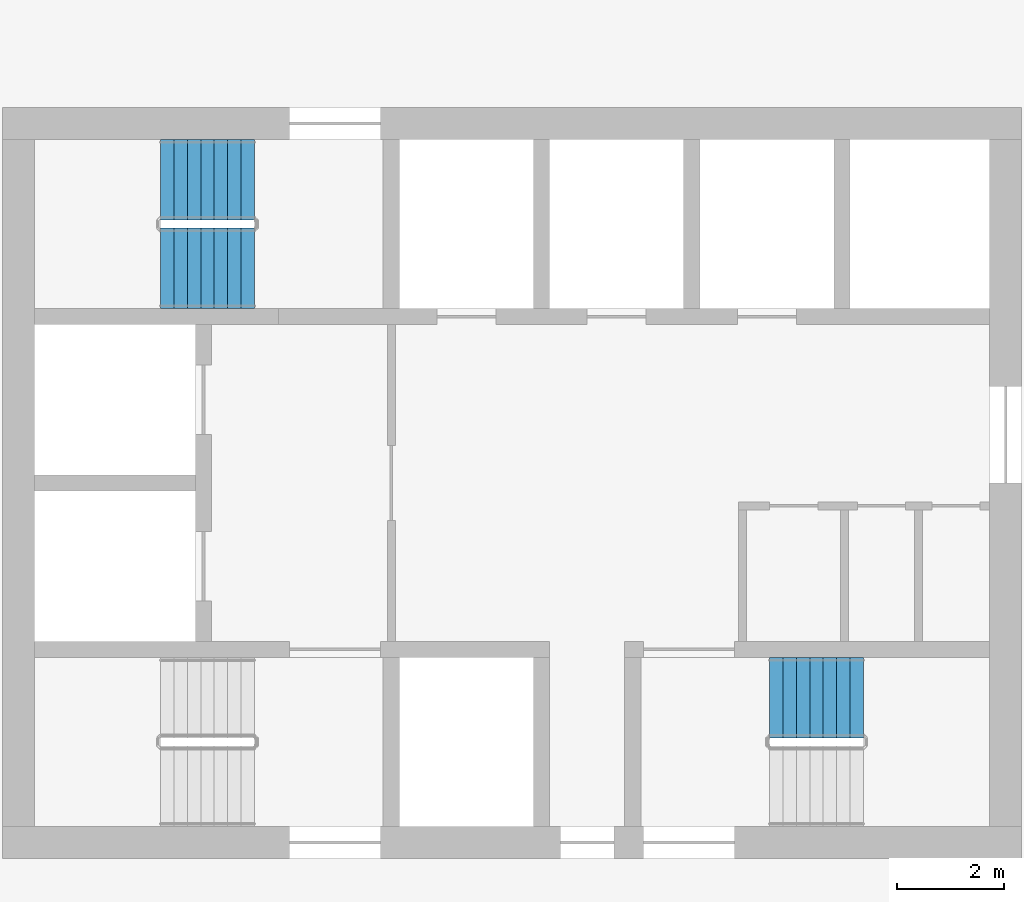
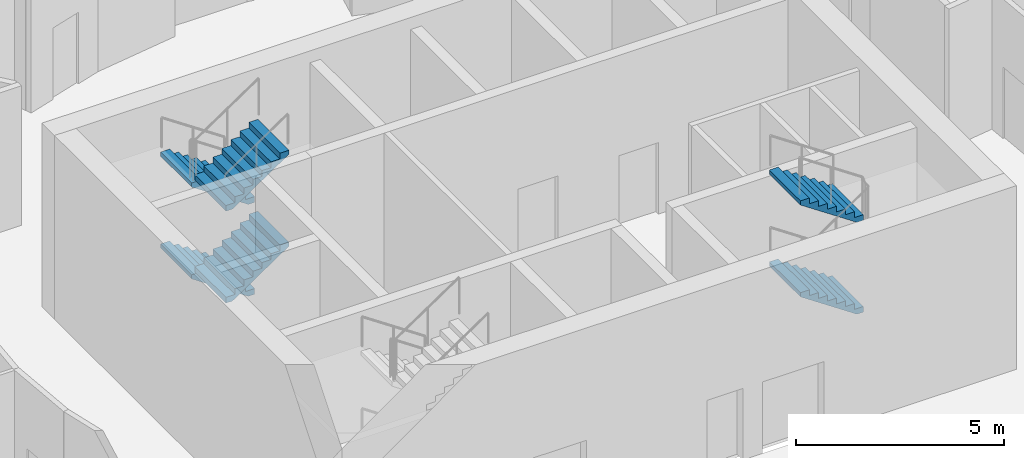
# One storey, part 8 of 10: 6 stair flights, 2 elements without a shape of their own.
"""IFC4 building model written with IfcOpenShell, lengths in metres."""

from ifc_helpers import new_model, si_unit, direction, frame, origin, place, context, subcontext, project, spatial, polyline, outline, extrude, material, type_object, element, aggregate, save


model = new_model("IFC4")

# Units and contexts
model_context = context("Model", 3, precision=1e-05, world=origin(), true_north=direction((0.0, 1.0)))
body_context = subcontext(model_context, "Body", "Model", "MODEL_VIEW")
ifc_project = project(units=[si_unit("LENGTHUNIT", "METRE"), si_unit("AREAUNIT", "SQUARE_METRE"), si_unit("VOLUMEUNIT", "CUBIC_METRE"), si_unit("PLANEANGLEUNIT", "RADIAN"), si_unit("MASSUNIT", "GRAM", prefix="KILO")], contexts=[model_context])

# Site, building, storey
site_placement = place(None, origin())
site = spatial("IfcSite", under=ifc_project, at=site_placement, CompositionType="ELEMENT")
building_placement = place(site_placement, origin())
building = spatial("IfcBuilding", under=site, at=building_placement, Name="Tracery Tower", CompositionType="ELEMENT")
storey_placement = place(building_placement, frame((0.0, 0.0, 336.0)))
storey = spatial("IfcBuildingStorey", under=building, at=storey_placement, Name="L87", CompositionType="ELEMENT", Elevation=336.0)

# Stair, stair flights
ifc_material_1 = material(Name="Concrete C32/40", Category="concrete")
stair_type = type_object("IfcStairType", Name="Core stair 32 risers", PredefinedType="HALF_TURN_STAIR", material=ifc_material_1)
stair_1_placement = place(storey_placement, origin())
stair_1 = element("IfcStair", 1, at=stair_1_placement, inside=storey, type_object=stair_type, Name="L87 stair ST3", PredefinedType="HALF_TURN_STAIR")
ifc_material_2 = material(Name="Concrete C32/40", Category="concrete")
stair_flight_type = type_object("IfcStairFlightType", Name="Core stair flight 8 risers", PredefinedType="STRAIGHT", material=ifc_material_2)
stair_flight_1_placement = place(storey_placement, frame((-4.800048828125, 5.64990234375, 0.0), z_axis=(0.0, 0.0, 1.0), x_axis=(-1.0, 0.0, 0.0)))
stair_flight_1 = element("IfcStairFlight", 2, at=stair_flight_1_placement, type_object=stair_flight_type, Name="ST3 flight 1", NumberOfRisers=8, NumberOfTreads=7, PredefinedType="STRAIGHT", RiserHeight=0.16875, TreadLength=0.25, context=body_context, shape_type="SweptSolid", body=[
    extrude(outline(polyline([(0.0, 0.0), (0.0, 0.002685546875), (0.0, 0.005615234375), (0.0, 0.00830078125), (0.0, 0.010986328125), (0.0, 0.013916015625), (0.0, 0.0166015625), (0.0, 0.019287109375), (0.0, 0.022216796875), (0.0, 0.02490234375), (0.0, 0.027587890625), (0.0, 0.030517578125), (0.0, 0.033203125), (0.0, 0.035888671875), (0.0, 0.038818359375), (0.0, 0.04150390625), (0.0, 0.044189453125), (0.0, 0.047119140625), (0.0, 0.0498046875), (0.0, 0.052490234375), (0.0, 0.055419921875), (0.0, 0.05810546875), (0.0, 0.060791015625), (0.0, 0.063720703125), (0.0, 0.06640625), (0.0, 0.069091796875), (0.0, 0.072021484375), (0.0, 0.07470703125), (0.0, 0.077392578125), (0.0, 0.080322265625), (0.0, 0.0830078125), (0.0, 0.085693359375), (0.0, 0.088623046875), (0.0, 0.09130859375), (0.0, 0.093994140625), (0.0, 0.096923828125), (0.0, 0.099609375), (0.0, 0.102294921875), (0.0, 0.105224609375), (0.0, 0.10791015625), (0.0, 0.110595703125), (0.0, 0.113525390625), (0.0, 0.1162109375), (0.0, 0.118896484375), (0.0, 0.121826171875), (0.0, 0.12451171875), (0.0, 0.127197265625), (0.0, 0.130126953125), (0.0, 0.1328125), (0.0, 0.135498046875), (0.0, 0.138427734375), (0.0, 0.14111328125), (0.0, 0.143798828125), (0.0, 0.146728515625), (0.0, 0.1494140625), (0.0, 0.152099609375), (0.0, 0.155029296875), (0.0, 0.15771484375), (0.0, 0.160400390625), (0.0, 0.163330078125), (0.0, 0.166015625), (0.0, 0.168701171875), (0.25, 0.168701171875), (0.25, 0.33740234375), (0.5, 0.33740234375), (0.5, 0.50634765625), (0.75, 0.50634765625), (0.75, 0.675048828125), (1.0, 0.675048828125), (1.0, 0.84375), (1.25, 0.84375), (1.25, 1.012451171875), (1.5, 1.012451171875), (1.5, 1.18115234375), (1.75, 1.18115234375), (1.75, 1.17919921875), (1.75, 1.17724609375), (1.75, 1.17529296875), (1.75, 1.17333984375), (1.75, 1.17138671875), (1.75, 1.16943359375), (1.75, 1.16748046875), (1.75, 1.16552734375), (1.75, 1.163330078125), (1.75, 1.161376953125), (1.75, 1.159423828125), (1.75, 1.157470703125), (1.75, 1.155517578125), (1.75, 1.153564453125), (1.75, 1.151611328125), (1.75, 1.149658203125), (1.75, 1.147705078125), (1.75, 1.1455078125), (1.75, 1.1435546875), (1.75, 1.1416015625), (1.75, 1.1396484375), (1.75, 1.1376953125), (1.75, 1.1357421875), (1.75, 1.1337890625), (1.75, 1.1318359375), (1.75, 1.1298828125), (1.75, 1.127685546875), (1.75, 1.125732421875), (1.75, 1.123779296875), (1.75, 1.121826171875), (1.75, 1.119873046875), (1.75, 1.117919921875), (1.75, 1.115966796875), (1.75, 1.114013671875), (1.75, 1.112060546875), (1.75, 1.10986328125), (1.75, 1.10791015625), (1.75, 1.10595703125), (1.75, 1.10400390625), (1.75, 1.10205078125), (1.75, 1.10009765625), (1.75, 1.09814453125), (1.75, 1.09619140625), (1.75, 1.09423828125), (1.75, 1.092041015625), (1.75, 1.090087890625), (1.75, 1.088134765625), (1.75, 1.086181640625), (1.75, 1.084228515625), (1.75, 1.082275390625), (1.75, 1.080322265625), (1.75, 1.078369140625), (1.75, 1.076416015625), (1.75, 1.074462890625), (1.75, 1.072265625), (1.75, 1.0703125), (1.75, 1.068359375), (1.75, 1.06640625), (1.75, 1.064453125), (1.75, 1.0625), (1.75, 1.060546875), (0.178955078125, 0.0), (0.0, 0.0)])), frame((0.0, 0.75, 0.0), z_axis=(0.0, -1.0, 0.0), x_axis=(1.0, 0.0, 0.0)), (0.0, 0.0, 1.0), 1.5),
])
stair_flight_2_placement = place(storey_placement, frame((-6.550048828125, 4.0, 1.35009765625), z_axis=(0.0, 0.0, 1.0), x_axis=(1.0, 0.0, 0.0)))
stair_flight_2 = element("IfcStairFlight", 3, at=stair_flight_2_placement, type_object=stair_flight_type, Name="ST3 flight 2", NumberOfRisers=8, NumberOfTreads=7, PredefinedType="STRAIGHT", RiserHeight=0.16875, TreadLength=0.25, context=body_context, shape_type="SweptSolid", body=[
    extrude(outline(polyline([(0.0, 0.0), (0.0, 0.002685546875), (0.0, 0.005615234375), (0.0, 0.00830078125), (0.0, 0.010986328125), (0.0, 0.013916015625), (0.0, 0.0166015625), (0.0, 0.019287109375), (0.0, 0.022216796875), (0.0, 0.02490234375), (0.0, 0.027587890625), (0.0, 0.030517578125), (0.0, 0.033203125), (0.0, 0.035888671875), (0.0, 0.038818359375), (0.0, 0.04150390625), (0.0, 0.044189453125), (0.0, 0.047119140625), (0.0, 0.0498046875), (0.0, 0.052490234375), (0.0, 0.055419921875), (0.0, 0.05810546875), (0.0, 0.060791015625), (0.0, 0.063720703125), (0.0, 0.06640625), (0.0, 0.069091796875), (0.0, 0.072021484375), (0.0, 0.07470703125), (0.0, 0.077392578125), (0.0, 0.080322265625), (0.0, 0.0830078125), (0.0, 0.085693359375), (0.0, 0.088623046875), (0.0, 0.09130859375), (0.0, 0.093994140625), (0.0, 0.096923828125), (0.0, 0.099609375), (0.0, 0.102294921875), (0.0, 0.105224609375), (0.0, 0.10791015625), (0.0, 0.110595703125), (0.0, 0.113525390625), (0.0, 0.1162109375), (0.0, 0.118896484375), (0.0, 0.121826171875), (0.0, 0.12451171875), (0.0, 0.127197265625), (0.0, 0.130126953125), (0.0, 0.1328125), (0.0, 0.135498046875), (0.0, 0.138427734375), (0.0, 0.14111328125), (0.0, 0.143798828125), (0.0, 0.146728515625), (0.0, 0.1494140625), (0.0, 0.152099609375), (0.0, 0.155029296875), (0.0, 0.15771484375), (0.0, 0.160400390625), (0.0, 0.163330078125), (0.0, 0.166015625), (0.0, 0.168701171875), (0.25, 0.168701171875), (0.25, 0.33740234375), (0.5, 0.33740234375), (0.5, 0.50634765625), (0.75, 0.50634765625), (0.75, 0.675048828125), (1.0, 0.675048828125), (1.0, 0.84375), (1.25, 0.84375), (1.25, 1.012451171875), (1.5, 1.012451171875), (1.5, 1.18115234375), (1.75, 1.18115234375), (1.75, 1.17919921875), (1.75, 1.17724609375), (1.75, 1.17529296875), (1.75, 1.17333984375), (1.75, 1.17138671875), (1.75, 1.16943359375), (1.75, 1.16748046875), (1.75, 1.16552734375), (1.75, 1.163330078125), (1.75, 1.161376953125), (1.75, 1.159423828125), (1.75, 1.157470703125), (1.75, 1.155517578125), (1.75, 1.153564453125), (1.75, 1.151611328125), (1.75, 1.149658203125), (1.75, 1.147705078125), (1.75, 1.1455078125), (1.75, 1.1435546875), (1.75, 1.1416015625), (1.75, 1.1396484375), (1.75, 1.1376953125), (1.75, 1.1357421875), (1.75, 1.1337890625), (1.75, 1.1318359375), (1.75, 1.1298828125), (1.75, 1.127685546875), (1.75, 1.125732421875), (1.75, 1.123779296875), (1.75, 1.121826171875), (1.75, 1.119873046875), (1.75, 1.117919921875), (1.75, 1.115966796875), (1.75, 1.114013671875), (1.75, 1.112060546875), (1.75, 1.10986328125), (1.75, 1.10791015625), (1.75, 1.10595703125), (1.75, 1.10400390625), (1.75, 1.10205078125), (1.75, 1.10009765625), (1.75, 1.09814453125), (1.75, 1.09619140625), (1.75, 1.09423828125), (1.75, 1.092041015625), (1.75, 1.090087890625), (1.75, 1.088134765625), (1.75, 1.086181640625), (1.75, 1.084228515625), (1.75, 1.082275390625), (1.75, 1.080322265625), (1.75, 1.078369140625), (1.75, 1.076416015625), (1.75, 1.074462890625), (1.75, 1.072265625), (1.75, 1.0703125), (1.75, 1.068359375), (1.75, 1.06640625), (1.75, 1.064453125), (1.75, 1.0625), (1.75, 1.060546875), (0.178955078125, 0.0), (0.0, 0.0)])), frame((0.0, 0.75, 0.0), z_axis=(0.0, -1.0, 0.0), x_axis=(1.0, 0.0, 0.0)), (0.0, 0.0, 1.0), 1.5),
])
stair_flight_3_placement = place(storey_placement, frame((-4.800048828125, 5.64990234375, 2.699951171875), z_axis=(0.0, 0.0, 1.0), x_axis=(-1.0, 0.0, 0.0)))
stair_flight_3 = element("IfcStairFlight", 4, at=stair_flight_3_placement, type_object=stair_flight_type, Name="ST3 flight 3", NumberOfRisers=8, NumberOfTreads=7, PredefinedType="STRAIGHT", RiserHeight=0.16875, TreadLength=0.25, context=body_context, shape_type="SweptSolid", body=[
    extrude(outline(polyline([(0.0, 0.0), (0.0, 0.002685546875), (0.0, 0.005615234375), (0.0, 0.00830078125), (0.0, 0.010986328125), (0.0, 0.013916015625), (0.0, 0.0166015625), (0.0, 0.019287109375), (0.0, 0.022216796875), (0.0, 0.02490234375), (0.0, 0.027587890625), (0.0, 0.030517578125), (0.0, 0.033203125), (0.0, 0.035888671875), (0.0, 0.038818359375), (0.0, 0.04150390625), (0.0, 0.044189453125), (0.0, 0.047119140625), (0.0, 0.0498046875), (0.0, 0.052490234375), (0.0, 0.055419921875), (0.0, 0.05810546875), (0.0, 0.060791015625), (0.0, 0.063720703125), (0.0, 0.06640625), (0.0, 0.069091796875), (0.0, 0.072021484375), (0.0, 0.07470703125), (0.0, 0.077392578125), (0.0, 0.080322265625), (0.0, 0.0830078125), (0.0, 0.085693359375), (0.0, 0.088623046875), (0.0, 0.09130859375), (0.0, 0.093994140625), (0.0, 0.096923828125), (0.0, 0.099609375), (0.0, 0.102294921875), (0.0, 0.105224609375), (0.0, 0.10791015625), (0.0, 0.110595703125), (0.0, 0.113525390625), (0.0, 0.1162109375), (0.0, 0.118896484375), (0.0, 0.121826171875), (0.0, 0.12451171875), (0.0, 0.127197265625), (0.0, 0.130126953125), (0.0, 0.1328125), (0.0, 0.135498046875), (0.0, 0.138427734375), (0.0, 0.14111328125), (0.0, 0.143798828125), (0.0, 0.146728515625), (0.0, 0.1494140625), (0.0, 0.152099609375), (0.0, 0.155029296875), (0.0, 0.15771484375), (0.0, 0.160400390625), (0.0, 0.163330078125), (0.0, 0.166015625), (0.0, 0.168701171875), (0.25, 0.168701171875), (0.25, 0.33740234375), (0.5, 0.33740234375), (0.5, 0.50634765625), (0.75, 0.50634765625), (0.75, 0.675048828125), (1.0, 0.675048828125), (1.0, 0.84375), (1.25, 0.84375), (1.25, 1.012451171875), (1.5, 1.012451171875), (1.5, 1.18115234375), (1.75, 1.18115234375), (1.75, 1.17919921875), (1.75, 1.17724609375), (1.75, 1.17529296875), (1.75, 1.17333984375), (1.75, 1.17138671875), (1.75, 1.16943359375), (1.75, 1.16748046875), (1.75, 1.16552734375), (1.75, 1.163330078125), (1.75, 1.161376953125), (1.75, 1.159423828125), (1.75, 1.157470703125), (1.75, 1.155517578125), (1.75, 1.153564453125), (1.75, 1.151611328125), (1.75, 1.149658203125), (1.75, 1.147705078125), (1.75, 1.1455078125), (1.75, 1.1435546875), (1.75, 1.1416015625), (1.75, 1.1396484375), (1.75, 1.1376953125), (1.75, 1.1357421875), (1.75, 1.1337890625), (1.75, 1.1318359375), (1.75, 1.1298828125), (1.75, 1.127685546875), (1.75, 1.125732421875), (1.75, 1.123779296875), (1.75, 1.121826171875), (1.75, 1.119873046875), (1.75, 1.117919921875), (1.75, 1.115966796875), (1.75, 1.114013671875), (1.75, 1.112060546875), (1.75, 1.10986328125), (1.75, 1.10791015625), (1.75, 1.10595703125), (1.75, 1.10400390625), (1.75, 1.10205078125), (1.75, 1.10009765625), (1.75, 1.09814453125), (1.75, 1.09619140625), (1.75, 1.09423828125), (1.75, 1.092041015625), (1.75, 1.090087890625), (1.75, 1.088134765625), (1.75, 1.086181640625), (1.75, 1.084228515625), (1.75, 1.082275390625), (1.75, 1.080322265625), (1.75, 1.078369140625), (1.75, 1.076416015625), (1.75, 1.074462890625), (1.75, 1.072265625), (1.75, 1.0703125), (1.75, 1.068359375), (1.75, 1.06640625), (1.75, 1.064453125), (1.75, 1.0625), (1.75, 1.060546875), (0.178955078125, 0.0), (0.0, 0.0)])), frame((0.0, 0.75, 0.0), z_axis=(0.0, -1.0, 0.0), x_axis=(1.0, 0.0, 0.0)), (0.0, 0.0, 1.0), 1.5),
])
stair_flight_4_placement = place(storey_placement, frame((-6.550048828125, 4.0, 4.050048828125), z_axis=(0.0, 0.0, 1.0), x_axis=(1.0, 0.0, 0.0)))
stair_flight_4 = element("IfcStairFlight", 5, at=stair_flight_4_placement, type_object=stair_flight_type, Name="ST3 flight 4", NumberOfRisers=8, NumberOfTreads=7, PredefinedType="STRAIGHT", RiserHeight=0.16875, TreadLength=0.25, context=body_context, shape_type="SweptSolid", body=[
    extrude(outline(polyline([(0.0, 0.0), (0.0, 0.002685546875), (0.0, 0.005615234375), (0.0, 0.00830078125), (0.0, 0.010986328125), (0.0, 0.013916015625), (0.0, 0.0166015625), (0.0, 0.019287109375), (0.0, 0.022216796875), (0.0, 0.02490234375), (0.0, 0.027587890625), (0.0, 0.030517578125), (0.0, 0.033203125), (0.0, 0.035888671875), (0.0, 0.038818359375), (0.0, 0.04150390625), (0.0, 0.044189453125), (0.0, 0.047119140625), (0.0, 0.0498046875), (0.0, 0.052490234375), (0.0, 0.055419921875), (0.0, 0.05810546875), (0.0, 0.060791015625), (0.0, 0.063720703125), (0.0, 0.06640625), (0.0, 0.069091796875), (0.0, 0.072021484375), (0.0, 0.07470703125), (0.0, 0.077392578125), (0.0, 0.080322265625), (0.0, 0.0830078125), (0.0, 0.085693359375), (0.0, 0.088623046875), (0.0, 0.09130859375), (0.0, 0.093994140625), (0.0, 0.096923828125), (0.0, 0.099609375), (0.0, 0.102294921875), (0.0, 0.105224609375), (0.0, 0.10791015625), (0.0, 0.110595703125), (0.0, 0.113525390625), (0.0, 0.1162109375), (0.0, 0.118896484375), (0.0, 0.121826171875), (0.0, 0.12451171875), (0.0, 0.127197265625), (0.0, 0.130126953125), (0.0, 0.1328125), (0.0, 0.135498046875), (0.0, 0.138427734375), (0.0, 0.14111328125), (0.0, 0.143798828125), (0.0, 0.146728515625), (0.0, 0.1494140625), (0.0, 0.152099609375), (0.0, 0.155029296875), (0.0, 0.15771484375), (0.0, 0.160400390625), (0.0, 0.163330078125), (0.0, 0.166015625), (0.0, 0.168701171875), (0.25, 0.168701171875), (0.25, 0.33740234375), (0.5, 0.33740234375), (0.5, 0.50634765625), (0.75, 0.50634765625), (0.75, 0.675048828125), (1.0, 0.675048828125), (1.0, 0.84375), (1.25, 0.84375), (1.25, 1.012451171875), (1.5, 1.012451171875), (1.5, 1.18115234375), (1.75, 1.18115234375), (1.75, 1.17919921875), (1.75, 1.17724609375), (1.75, 1.17529296875), (1.75, 1.17333984375), (1.75, 1.17138671875), (1.75, 1.16943359375), (1.75, 1.16748046875), (1.75, 1.16552734375), (1.75, 1.163330078125), (1.75, 1.161376953125), (1.75, 1.159423828125), (1.75, 1.157470703125), (1.75, 1.155517578125), (1.75, 1.153564453125), (1.75, 1.151611328125), (1.75, 1.149658203125), (1.75, 1.147705078125), (1.75, 1.1455078125), (1.75, 1.1435546875), (1.75, 1.1416015625), (1.75, 1.1396484375), (1.75, 1.1376953125), (1.75, 1.1357421875), (1.75, 1.1337890625), (1.75, 1.1318359375), (1.75, 1.1298828125), (1.75, 1.127685546875), (1.75, 1.125732421875), (1.75, 1.123779296875), (1.75, 1.121826171875), (1.75, 1.119873046875), (1.75, 1.117919921875), (1.75, 1.115966796875), (1.75, 1.114013671875), (1.75, 1.112060546875), (1.75, 1.10986328125), (1.75, 1.10791015625), (1.75, 1.10595703125), (1.75, 1.10400390625), (1.75, 1.10205078125), (1.75, 1.10009765625), (1.75, 1.09814453125), (1.75, 1.09619140625), (1.75, 1.09423828125), (1.75, 1.092041015625), (1.75, 1.090087890625), (1.75, 1.088134765625), (1.75, 1.086181640625), (1.75, 1.084228515625), (1.75, 1.082275390625), (1.75, 1.080322265625), (1.75, 1.078369140625), (1.75, 1.076416015625), (1.75, 1.074462890625), (1.75, 1.072265625), (1.75, 1.0703125), (1.75, 1.068359375), (1.75, 1.06640625), (1.75, 1.064453125), (1.75, 1.0625), (1.75, 1.060546875), (0.178955078125, 0.0), (0.0, 0.0)])), frame((0.0, 0.75, 0.0), z_axis=(0.0, -1.0, 0.0), x_axis=(1.0, 0.0, 0.0)), (0.0, 0.0, 1.0), 1.5),
])
aggregate(stair_1, [stair_flight_1, stair_flight_2, stair_flight_3, stair_flight_4])

stair_2_placement = place(storey_placement, origin())
stair_2 = element("IfcStair", 6, at=stair_2_placement, inside=storey, type_object=stair_type, Name="L87 stair ST2", PredefinedType="HALF_TURN_STAIR")
stair_flight_5_placement = place(storey_placement, frame((6.550048828125, -4.0, 1.35009765625), z_axis=(0.0, 0.0, 1.0), x_axis=(-1.0, 0.0, 0.0)))
stair_flight_5 = element("IfcStairFlight", 7, at=stair_flight_5_placement, type_object=stair_flight_type, Name="ST2 flight 2", NumberOfRisers=8, NumberOfTreads=7, PredefinedType="STRAIGHT", RiserHeight=0.16875, TreadLength=0.25, context=body_context, shape_type="SweptSolid", body=[
    extrude(outline(polyline([(0.0, 0.0), (0.0, 0.002685546875), (0.0, 0.005615234375), (0.0, 0.00830078125), (0.0, 0.010986328125), (0.0, 0.013916015625), (0.0, 0.0166015625), (0.0, 0.019287109375), (0.0, 0.022216796875), (0.0, 0.02490234375), (0.0, 0.027587890625), (0.0, 0.030517578125), (0.0, 0.033203125), (0.0, 0.035888671875), (0.0, 0.038818359375), (0.0, 0.04150390625), (0.0, 0.044189453125), (0.0, 0.047119140625), (0.0, 0.0498046875), (0.0, 0.052490234375), (0.0, 0.055419921875), (0.0, 0.05810546875), (0.0, 0.060791015625), (0.0, 0.063720703125), (0.0, 0.06640625), (0.0, 0.069091796875), (0.0, 0.072021484375), (0.0, 0.07470703125), (0.0, 0.077392578125), (0.0, 0.080322265625), (0.0, 0.0830078125), (0.0, 0.085693359375), (0.0, 0.088623046875), (0.0, 0.09130859375), (0.0, 0.093994140625), (0.0, 0.096923828125), (0.0, 0.099609375), (0.0, 0.102294921875), (0.0, 0.105224609375), (0.0, 0.10791015625), (0.0, 0.110595703125), (0.0, 0.113525390625), (0.0, 0.1162109375), (0.0, 0.118896484375), (0.0, 0.121826171875), (0.0, 0.12451171875), (0.0, 0.127197265625), (0.0, 0.130126953125), (0.0, 0.1328125), (0.0, 0.135498046875), (0.0, 0.138427734375), (0.0, 0.14111328125), (0.0, 0.143798828125), (0.0, 0.146728515625), (0.0, 0.1494140625), (0.0, 0.152099609375), (0.0, 0.155029296875), (0.0, 0.15771484375), (0.0, 0.160400390625), (0.0, 0.163330078125), (0.0, 0.166015625), (0.0, 0.168701171875), (0.25, 0.168701171875), (0.25, 0.33740234375), (0.5, 0.33740234375), (0.5, 0.50634765625), (0.75, 0.50634765625), (0.75, 0.675048828125), (1.0, 0.675048828125), (1.0, 0.84375), (1.25, 0.84375), (1.25, 1.012451171875), (1.5, 1.012451171875), (1.5, 1.18115234375), (1.75, 1.18115234375), (1.75, 1.17919921875), (1.75, 1.17724609375), (1.75, 1.17529296875), (1.75, 1.17333984375), (1.75, 1.17138671875), (1.75, 1.16943359375), (1.75, 1.16748046875), (1.75, 1.16552734375), (1.75, 1.163330078125), (1.75, 1.161376953125), (1.75, 1.159423828125), (1.75, 1.157470703125), (1.75, 1.155517578125), (1.75, 1.153564453125), (1.75, 1.151611328125), (1.75, 1.149658203125), (1.75, 1.147705078125), (1.75, 1.1455078125), (1.75, 1.1435546875), (1.75, 1.1416015625), (1.75, 1.1396484375), (1.75, 1.1376953125), (1.75, 1.1357421875), (1.75, 1.1337890625), (1.75, 1.1318359375), (1.75, 1.1298828125), (1.75, 1.127685546875), (1.75, 1.125732421875), (1.75, 1.123779296875), (1.75, 1.121826171875), (1.75, 1.119873046875), (1.75, 1.117919921875), (1.75, 1.115966796875), (1.75, 1.114013671875), (1.75, 1.112060546875), (1.75, 1.10986328125), (1.75, 1.10791015625), (1.75, 1.10595703125), (1.75, 1.10400390625), (1.75, 1.10205078125), (1.75, 1.10009765625), (1.75, 1.09814453125), (1.75, 1.09619140625), (1.75, 1.09423828125), (1.75, 1.092041015625), (1.75, 1.090087890625), (1.75, 1.088134765625), (1.75, 1.086181640625), (1.75, 1.084228515625), (1.75, 1.082275390625), (1.75, 1.080322265625), (1.75, 1.078369140625), (1.75, 1.076416015625), (1.75, 1.074462890625), (1.75, 1.072265625), (1.75, 1.0703125), (1.75, 1.068359375), (1.75, 1.06640625), (1.75, 1.064453125), (1.75, 1.0625), (1.75, 1.060546875), (0.178955078125, 0.0), (0.0, 0.0)])), frame((0.0, 0.75, 0.0), z_axis=(0.0, -1.0, 0.0), x_axis=(1.0, 0.0, 0.0)), (0.0, 0.0, 1.0), 1.5),
])
stair_flight_6_placement = place(storey_placement, frame((6.550048828125, -4.0, 4.050048828125), z_axis=(0.0, 0.0, 1.0), x_axis=(-1.0, 0.0, 0.0)))
stair_flight_6 = element("IfcStairFlight", 8, at=stair_flight_6_placement, type_object=stair_flight_type, Name="ST2 flight 4", NumberOfRisers=8, NumberOfTreads=7, PredefinedType="STRAIGHT", RiserHeight=0.16875, TreadLength=0.25, context=body_context, shape_type="SweptSolid", body=[
    extrude(outline(polyline([(0.0, 0.0), (0.0, 0.002685546875), (0.0, 0.005615234375), (0.0, 0.00830078125), (0.0, 0.010986328125), (0.0, 0.013916015625), (0.0, 0.0166015625), (0.0, 0.019287109375), (0.0, 0.022216796875), (0.0, 0.02490234375), (0.0, 0.027587890625), (0.0, 0.030517578125), (0.0, 0.033203125), (0.0, 0.035888671875), (0.0, 0.038818359375), (0.0, 0.04150390625), (0.0, 0.044189453125), (0.0, 0.047119140625), (0.0, 0.0498046875), (0.0, 0.052490234375), (0.0, 0.055419921875), (0.0, 0.05810546875), (0.0, 0.060791015625), (0.0, 0.063720703125), (0.0, 0.06640625), (0.0, 0.069091796875), (0.0, 0.072021484375), (0.0, 0.07470703125), (0.0, 0.077392578125), (0.0, 0.080322265625), (0.0, 0.0830078125), (0.0, 0.085693359375), (0.0, 0.088623046875), (0.0, 0.09130859375), (0.0, 0.093994140625), (0.0, 0.096923828125), (0.0, 0.099609375), (0.0, 0.102294921875), (0.0, 0.105224609375), (0.0, 0.10791015625), (0.0, 0.110595703125), (0.0, 0.113525390625), (0.0, 0.1162109375), (0.0, 0.118896484375), (0.0, 0.121826171875), (0.0, 0.12451171875), (0.0, 0.127197265625), (0.0, 0.130126953125), (0.0, 0.1328125), (0.0, 0.135498046875), (0.0, 0.138427734375), (0.0, 0.14111328125), (0.0, 0.143798828125), (0.0, 0.146728515625), (0.0, 0.1494140625), (0.0, 0.152099609375), (0.0, 0.155029296875), (0.0, 0.15771484375), (0.0, 0.160400390625), (0.0, 0.163330078125), (0.0, 0.166015625), (0.0, 0.168701171875), (0.25, 0.168701171875), (0.25, 0.33740234375), (0.5, 0.33740234375), (0.5, 0.50634765625), (0.75, 0.50634765625), (0.75, 0.675048828125), (1.0, 0.675048828125), (1.0, 0.84375), (1.25, 0.84375), (1.25, 1.012451171875), (1.5, 1.012451171875), (1.5, 1.18115234375), (1.75, 1.18115234375), (1.75, 1.17919921875), (1.75, 1.17724609375), (1.75, 1.17529296875), (1.75, 1.17333984375), (1.75, 1.17138671875), (1.75, 1.16943359375), (1.75, 1.16748046875), (1.75, 1.16552734375), (1.75, 1.163330078125), (1.75, 1.161376953125), (1.75, 1.159423828125), (1.75, 1.157470703125), (1.75, 1.155517578125), (1.75, 1.153564453125), (1.75, 1.151611328125), (1.75, 1.149658203125), (1.75, 1.147705078125), (1.75, 1.1455078125), (1.75, 1.1435546875), (1.75, 1.1416015625), (1.75, 1.1396484375), (1.75, 1.1376953125), (1.75, 1.1357421875), (1.75, 1.1337890625), (1.75, 1.1318359375), (1.75, 1.1298828125), (1.75, 1.127685546875), (1.75, 1.125732421875), (1.75, 1.123779296875), (1.75, 1.121826171875), (1.75, 1.119873046875), (1.75, 1.117919921875), (1.75, 1.115966796875), (1.75, 1.114013671875), (1.75, 1.112060546875), (1.75, 1.10986328125), (1.75, 1.10791015625), (1.75, 1.10595703125), (1.75, 1.10400390625), (1.75, 1.10205078125), (1.75, 1.10009765625), (1.75, 1.09814453125), (1.75, 1.09619140625), (1.75, 1.09423828125), (1.75, 1.092041015625), (1.75, 1.090087890625), (1.75, 1.088134765625), (1.75, 1.086181640625), (1.75, 1.084228515625), (1.75, 1.082275390625), (1.75, 1.080322265625), (1.75, 1.078369140625), (1.75, 1.076416015625), (1.75, 1.074462890625), (1.75, 1.072265625), (1.75, 1.0703125), (1.75, 1.068359375), (1.75, 1.06640625), (1.75, 1.064453125), (1.75, 1.0625), (1.75, 1.060546875), (0.178955078125, 0.0), (0.0, 0.0)])), frame((0.0, 0.75, 0.0), z_axis=(0.0, -1.0, 0.0), x_axis=(1.0, 0.0, 0.0)), (0.0, 0.0, 1.0), 1.5),
])
aggregate(stair_2, [stair_flight_5, stair_flight_6])

save(model, "model.ifc")
